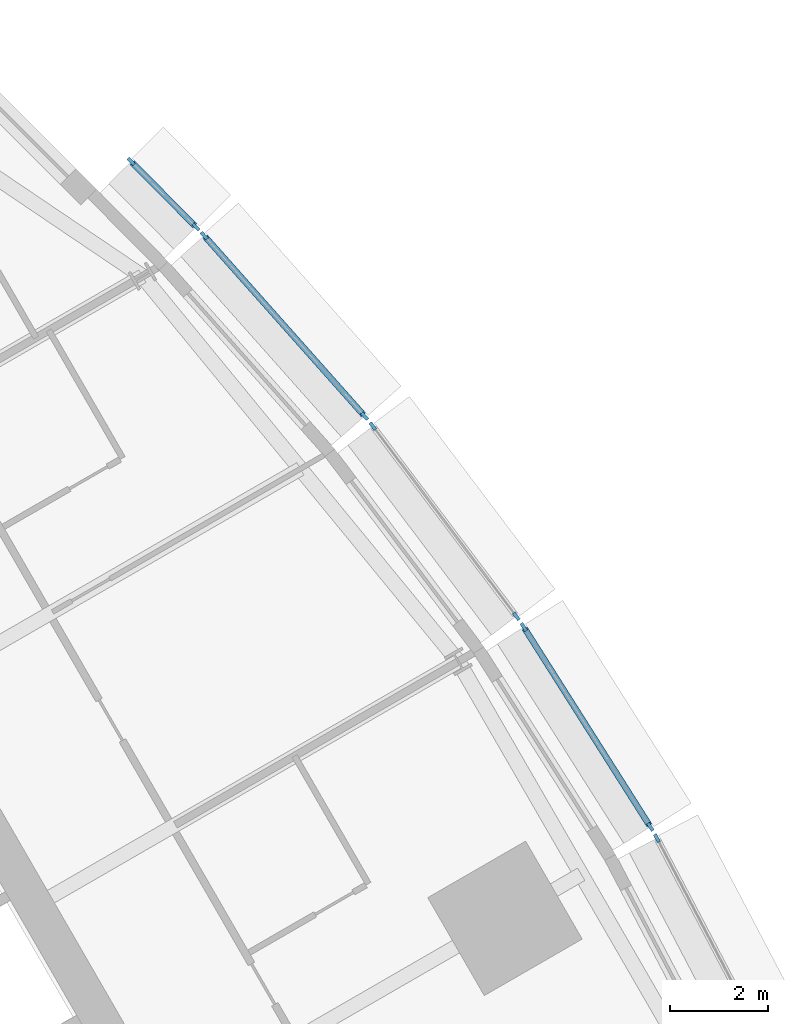
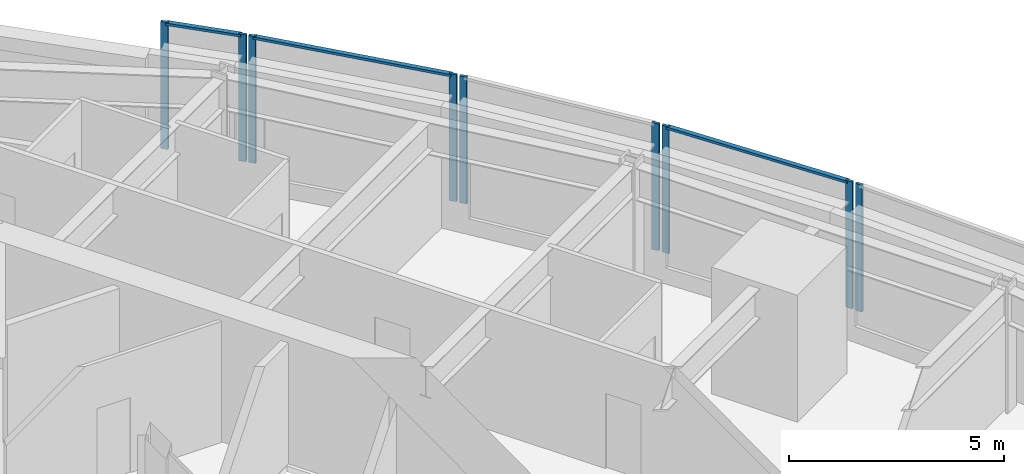
# One storey, part 6 of 15: 12 members, 5 elements without a shape of their own.
"""IFC4 building model written with IfcOpenShell, lengths in metres."""

import ifcopenshell
import ifcopenshell.guid

model = None  # the IFC model being written
_history = None  # IfcOwnerHistory: only IFC2X3 demands one
_inside = {}  # id of a spatial element -> (the spatial element, [elements in it])
_under = {}  # id of a project, library or spatial element -> (it, [spatial elements below it])
_declared = {}  # id of a project -> (the project, [libraries it declares])
_typed = {}  # id of a type object -> (the type object, [elements of that type])
_made_of = {}  # id of a material, layer set ... -> (it, [elements and type objects made of it])


def new_model(schema):
    """Start an empty IFC model of exactly this schema.

    Asked for "IFC4X3", IfcOpenShell would pick the latest addendum, in which some entities
    have other attributes; the version numbers below select the first issue.
    IFC2X3 requires an IfcOwnerHistory on every rooted entity: one is made here for all.
    """
    global model, _history
    if schema == "IFC4X3":
        model = ifcopenshell.file(schema_version=(4, 3, 0, 0))
    else:
        model = ifcopenshell.file(schema=schema)
    _inside.clear()
    _under.clear()
    _declared.clear()
    _typed.clear()
    _made_of.clear()
    _history = None
    if model.schema == "IFC2X3":
        org = make("IfcOrganization", Name="unknown")
        user = make(
            "IfcPersonAndOrganization",
            ThePerson=make("IfcPerson", FamilyName="unknown"),
            TheOrganization=org,
        )
        app = make(
            "IfcApplication",
            ApplicationDeveloper=org,
            Version="unknown",
            ApplicationFullName="unknown",
            ApplicationIdentifier="unknown",
        )
        _history = make(
            "IfcOwnerHistory",
            OwningUser=user,
            OwningApplication=app,
            ChangeAction="ADDED",
            CreationDate=0,
        )
    return model


def make(cls, **values):
    """One entity of the class cls with the attributes given. An attribute that is None is left unset."""
    return model.create_entity(
        cls, **{name: value for name, value in values.items() if value is not None}
    )


def rooted(cls, **values):
    """An entity with a GlobalId (a new one), such as an element, a storey or a relation."""
    return make(cls, GlobalId=ifcopenshell.guid.new(), OwnerHistory=_history, **values)


def si_unit(unit_type, name, prefix=None):
    """IfcSIUnit, for example si_unit("LENGTHUNIT", "METRE", prefix="MILLI")."""
    return make("IfcSIUnit", UnitType=unit_type, Prefix=prefix, Name=name)


def assignment(units):
    """IfcUnitAssignment: the units of a project."""
    return None if units is None else make("IfcUnitAssignment", Units=units)


def point(xyz):
    """IfcCartesianPoint."""
    return None if xyz is None else make("IfcCartesianPoint", Coordinates=xyz)


def direction(xyz):
    """IfcDirection."""
    return None if xyz is None else make("IfcDirection", DirectionRatios=xyz)


def frame(location, z_axis=None, x_axis=None):
    """IfcAxis2Placement3D, a coordinate frame: its origin and axes. An axis left out is left unset."""
    return make(
        "IfcAxis2Placement3D",
        Location=point(location),
        Axis=direction(z_axis),
        RefDirection=direction(x_axis),
    )


def frame_2d(location, x_axis=None):
    """IfcAxis2Placement2D, a coordinate frame in the plane: its origin and x axis."""
    return make(
        "IfcAxis2Placement2D", Location=point(location), RefDirection=direction(x_axis)
    )


def origin():
    """The frame at (0, 0, 0) with its axes left unset."""
    return frame((0.0, 0.0, 0.0))


def origin_2d():
    """The frame at (0, 0) in the plane with its x axis left unset."""
    return frame_2d((0.0, 0.0))


def place(relative_to, where):
    """IfcLocalPlacement: puts the frame where relative to a parent placement (None: the world)."""
    return make(
        "IfcLocalPlacement", PlacementRelTo=relative_to, RelativePlacement=where
    )


def context(
    kind, dimensions, precision=None, world=None, true_north=None, identifier=None
):
    """IfcGeometricRepresentationContext, for example the 3D "Model" context."""
    return make(
        "IfcGeometricRepresentationContext",
        ContextIdentifier=identifier,
        ContextType=kind,
        CoordinateSpaceDimension=dimensions,
        Precision=precision,
        WorldCoordinateSystem=world,
        TrueNorth=true_north,
    )


def subcontext(parent, identifier, kind, view, scale=None):
    """IfcGeometricRepresentationSubContext, for example "Body" below "Model"."""
    return make(
        "IfcGeometricRepresentationSubContext",
        ContextIdentifier=identifier,
        ContextType=kind,
        ParentContext=parent,
        TargetScale=scale,
        TargetView=view,
    )


def project(units=None, contexts=None):
    """IfcProject with its units and contexts."""
    return rooted(
        "IfcProject",
        Name="project",
        RepresentationContexts=contexts,
        UnitsInContext=assignment(units),
    )


def spatial(cls, under=None, at=None, **own):
    """A site, building, storey or space (cls), placed at a placement, below another one or the project."""
    s = rooted(cls, ObjectPlacement=at, **own)
    if under is not None:
        _under.setdefault(under.id(), (under, []))[1].append(s)
    return s


def profile(cls, at=None, kind="AREA", **sizes):
    """A parametric profile (cls). Its sizes go by their IFC names, for example OverallWidth=200.0."""
    return make(cls, ProfileType=kind, Position=at, **sizes)


def rectangle(**sizes):
    """IfcRectangleProfileDef."""
    return profile("IfcRectangleProfileDef", **sizes)


def extrude(swept, where, along, depth):
    """IfcExtrudedAreaSolid: the profile swept, set in the frame where, extruded along a direction by depth."""
    return make(
        "IfcExtrudedAreaSolid",
        SweptArea=swept,
        Position=where,
        ExtrudedDirection=direction(along),
        Depth=depth,
    )


def shape(context_of_items, identifier, shape_type, items):
    """IfcShapeRepresentation: the items that make up one representation, for example the "Body"."""
    return make(
        "IfcShapeRepresentation",
        ContextOfItems=context_of_items,
        RepresentationIdentifier=identifier,
        RepresentationType=shape_type,
        Items=items,
    )


def material(Name=None, Category=None):
    """IfcMaterial."""
    return make("IfcMaterial", Name=Name, Category=Category)


def material_profile(
    of_material, cross_section, Name=None, Category=None, Priority=None
):
    """IfcMaterialProfile: a cross section and its material."""
    return make(
        "IfcMaterialProfile",
        Name=Name,
        Material=of_material,
        Profile=cross_section,
        Priority=Priority,
        Category=Category,
    )


def profile_set(profiles, Name=None, composite=None):
    """IfcMaterialProfileSet."""
    return make(
        "IfcMaterialProfileSet",
        Name=Name,
        MaterialProfiles=profiles,
        CompositeProfile=composite,
    )


def made_of(thing, what):
    """Note that an element or type object is made of a material, layer set ...; save() writes the relation."""
    if what is not None:
        _made_of.setdefault(what.id(), (what, []))[1].append(thing)
    return thing


def type_object(cls, material=None, **own):
    """A type object (cls), such as IfcWallType, which elements share."""
    return made_of(rooted(cls, **own), material)


def element(
    cls,
    number,
    at=None,
    inside=None,
    cuts=None,
    type_object=None,
    material=None,
    context=None,
    identifier="Body",
    shape_type=None,
    held_by="IfcProductDefinitionShape",
    body=None,
    shapes=None,
    **own,
):
    """One element of the class cls, such as IfcWall. Its Tag is "e" and its number.

    at: its placement. inside: the storey or other place that contains it. cuts: it is an
    opening in that element (IfcRelVoidsElement). A single representation is given by context,
    identifier, shape_type and body (its items); several are given by shapes. held_by: the class
    of the entity that holds the representations. save() writes the other relations.
    """
    e = rooted(cls, Tag="e%d" % number, ObjectPlacement=at, **own)
    if body is not None:
        shapes = [shape(context, identifier, shape_type, body)]
    if shapes is not None:
        e.Representation = make(held_by, Representations=shapes)
    if inside is not None:
        _inside.setdefault(inside.id(), (inside, []))[1].append(e)
    if cuts is not None:
        rooted(
            "IfcRelVoidsElement", RelatingBuildingElement=cuts, RelatedOpeningElement=e
        )
    if type_object is not None:
        _typed.setdefault(type_object.id(), (type_object, []))[1].append(e)
    return made_of(e, material)


def aggregate(whole, parts):
    """IfcRelAggregates: a whole, such as a stair, and the parts it consists of."""
    return rooted("IfcRelAggregates", RelatingObject=whole, RelatedObjects=parts)


def save(model, path):
    """Write the relations noted so far, then the file.

    IfcRelAggregates (storeys below a building ...), IfcRelContainedInSpatialStructure (elements
    in a storey), IfcRelDefinesByType, IfcRelAssociatesMaterial and IfcRelDeclares: one each for
    every whole, place, type object, material and project.
    """
    for whole, parts in _under.values():
        aggregate(whole, parts)
    for where, things in _inside.values():
        rooted(
            "IfcRelContainedInSpatialStructure",
            RelatedElements=things,
            RelatingStructure=where,
        )
    for kind, things in _typed.values():
        rooted("IfcRelDefinesByType", RelatedObjects=things, RelatingType=kind)
    for what, things in _made_of.values():
        rooted("IfcRelAssociatesMaterial", RelatedObjects=things, RelatingMaterial=what)
    for by, libraries in _declared.values():
        rooted("IfcRelDeclares", RelatingContext=by, RelatedDefinitions=libraries)
    model.write(path)


model = new_model("IFC4")

# Units and contexts
model_context = context("Model", 3, precision=1e-05, world=origin(), true_north=direction((0.0, 1.0)))
body_context = subcontext(model_context, "Body", "Model", "MODEL_VIEW")
ifc_project = project(units=[si_unit("LENGTHUNIT", "METRE"), si_unit("AREAUNIT", "SQUARE_METRE"), si_unit("VOLUMEUNIT", "CUBIC_METRE"), si_unit("PLANEANGLEUNIT", "RADIAN"), si_unit("MASSUNIT", "GRAM", prefix="KILO")], contexts=[model_context])

# Site, building, storey
site_placement = place(None, origin())
site = spatial("IfcSite", under=ifc_project, at=site_placement, CompositionType="ELEMENT")
building_placement = place(site_placement, origin())
building = spatial("IfcBuilding", under=site, at=building_placement, Name="Trikona Tower", CompositionType="ELEMENT")
storey_placement = place(building_placement, frame((0.0, 0.0, 215.300048828125)))
storey = spatial("IfcBuildingStorey", under=building, at=storey_placement, Name="L57", CompositionType="ELEMENT", Elevation=215.300048828125)

# Curtain wall, member
ifc_material_1 = material(Name="Aluminium curtain wall system", Category="aluminium")
curtain_wall_type = type_object("IfcCurtainWallType", Name="Curtain wall DS3", PredefinedType="NOTDEFINED", material=ifc_material_1)
curtain_wall_1_placement = place(storey_placement, origin())
curtain_wall_1 = element("IfcCurtainWall", 1, at=curtain_wall_1_placement, inside=storey, type_object=curtain_wall_type, Name="Curtain wall DS3 L57", PredefinedType="NOTDEFINED")
ifc_material_2 = material(Name="Aluminium mullion, pale anodised", Category="aluminium")
ifc_material_profile_1 = material_profile(ifc_material_2, rectangle(XDim=0.070068359375, YDim=0.179931640625, at=origin_2d()), Name="MUL-DS3")
ifc_profile_set_1 = profile_set([ifc_material_profile_1], Name="Aluminium mullion, pale anodised")
member_type_1 = type_object("IfcMemberType", Name="Mullion DS3 70x180", PredefinedType="MULLION", material=ifc_profile_set_1)
member_1_placement = place(storey_placement, frame((18.40234375, 10.472412109375, 0.0), z_axis=(0.0, 0.0, 1.0), x_axis=(-0.885862390527, -0.463948084434, 0.0)))
member_1 = element("IfcMember", 2, at=member_1_placement, type_object=member_type_1, Name="CW-DS3 mullion 2", PredefinedType="MULLION", context=body_context, shape_type="SweptSolid", body=[
    extrude(rectangle(XDim=0.070068359375, YDim=0.179931640625, at=origin_2d()), origin(), (0.0, 0.0, 1.0), 3.599853515625),
])
aggregate(curtain_wall_1, [member_1])

# Curtain wall, members
curtain_wall_2_placement = place(storey_placement, origin())
curtain_wall_2 = element("IfcCurtainWall", 3, at=curtain_wall_2_placement, inside=storey, type_object=curtain_wall_type, Name="Curtain wall DS3 L57", PredefinedType="NOTDEFINED")
member_2_placement = place(storey_placement, frame((18.2705078125, 10.700927734375, 0.0), z_axis=(0.0, 0.0, 1.0), x_axis=(-0.844727131858, -0.535197227854, 0.0)))
member_2 = element("IfcMember", 4, at=member_2_placement, type_object=member_type_1, Name="CW-DS3 mullion 1", PredefinedType="MULLION", context=body_context, shape_type="SweptSolid", body=[
    extrude(rectangle(XDim=0.070068359375, YDim=0.179931640625, at=origin_2d()), origin(), (0.0, 0.0, 1.0), 3.599853515625),
])
member_3_placement = place(storey_placement, frame((15.69384765625, 14.767578125, 0.0), z_axis=(0.0, 0.0, 1.0), x_axis=(-0.844727131858, -0.535197227854, 0.0)))
member_3 = element("IfcMember", 5, at=member_3_placement, type_object=member_type_1, Name="CW-DS3 mullion 2", PredefinedType="MULLION", context=body_context, shape_type="SweptSolid", body=[
    extrude(rectangle(XDim=0.070068359375, YDim=0.179931640625, at=origin_2d()), origin(), (0.0, 0.0, 1.0), 3.599853515625),
])

curtain_wall_3_placement = place(storey_placement, origin())
curtain_wall_3 = element("IfcCurtainWall", 6, at=curtain_wall_3_placement, inside=storey, type_object=curtain_wall_type, Name="Curtain wall DS3 L57", PredefinedType="NOTDEFINED")
member_4_placement = place(storey_placement, frame((15.5439453125, 14.984130859375, 0.0), z_axis=(0.0, 0.0, 1.0), x_axis=(-0.798193208724, -0.602401528506, 0.0)))
member_4 = element("IfcMember", 7, at=member_4_placement, type_object=member_type_1, Name="CW-DS3 mullion 1", PredefinedType="MULLION", context=body_context, shape_type="SweptSolid", body=[
    extrude(rectangle(XDim=0.070068359375, YDim=0.179931640625, at=origin_2d()), origin(), (0.0, 0.0, 1.0), 3.599853515625),
])
member_5_placement = place(storey_placement, frame((12.62353515625, 18.853759765625, 0.0), z_axis=(0.0, 0.0, 1.0), x_axis=(-0.798193208724, -0.602401528506, 0.0)))
member_5 = element("IfcMember", 8, at=member_5_placement, type_object=member_type_1, Name="CW-DS3 mullion 2", PredefinedType="MULLION", context=body_context, shape_type="SweptSolid", body=[
    extrude(rectangle(XDim=0.070068359375, YDim=0.179931640625, at=origin_2d()), origin(), (0.0, 0.0, 1.0), 3.599853515625),
])
aggregate(curtain_wall_3, [member_4, member_5])

curtain_wall_4_placement = place(storey_placement, origin())
curtain_wall_4 = element("IfcCurtainWall", 9, at=curtain_wall_4_placement, inside=storey, type_object=curtain_wall_type, Name="Curtain wall DS3 L57", PredefinedType="NOTDEFINED")
member_6_placement = place(storey_placement, frame((12.45751953125, 19.056396484375, 0.0), z_axis=(0.0, 0.0, 1.0), x_axis=(-0.747402677853, -0.664371309689, 0.0)))
member_6 = element("IfcMember", 10, at=member_6_placement, type_object=member_type_1, Name="CW-DS3 mullion 1", PredefinedType="MULLION", context=body_context, shape_type="SweptSolid", body=[
    extrude(rectangle(XDim=0.070068359375, YDim=0.179931640625, at=origin_2d()), origin(), (0.0, 0.0, 1.0), 3.599853515625),
])
member_7_placement = place(storey_placement, frame((9.192138671875, 22.729736328125, 0.0), z_axis=(0.0, 0.0, 1.0), x_axis=(-0.747402677853, -0.664371309689, 0.0)))
member_7 = element("IfcMember", 11, at=member_7_placement, type_object=member_type_1, Name="CW-DS3 mullion 2", PredefinedType="MULLION", context=body_context, shape_type="SweptSolid", body=[
    extrude(rectangle(XDim=0.070068359375, YDim=0.179931640625, at=origin_2d()), origin(), (0.0, 0.0, 1.0), 3.599853515625),
])

curtain_wall_5_placement = place(storey_placement, origin())
curtain_wall_5 = element("IfcCurtainWall", 12, at=curtain_wall_5_placement, inside=storey, type_object=curtain_wall_type, Name="Curtain wall DS3 L57", PredefinedType="NOTDEFINED")
member_8_placement = place(storey_placement, frame((9.028564453125, 22.904052734375, 0.0), z_axis=(0.0, 0.0, 1.0), x_axis=(-0.710051900554, -0.704149343903, 0.0)))
member_8 = element("IfcMember", 13, at=member_8_placement, type_object=member_type_1, Name="CW-DS3 mullion 1", PredefinedType="MULLION", context=body_context, shape_type="SweptSolid", body=[
    extrude(rectangle(XDim=0.070068359375, YDim=0.179931640625, at=origin_2d()), origin(), (0.0, 0.0, 1.0), 3.599853515625),
])
member_9_placement = place(storey_placement, frame((7.7060546875, 24.237548828125, 0.0), z_axis=(0.0, 0.0, 1.0), x_axis=(-0.710051900554, -0.704149343903, 0.0)))
member_9 = element("IfcMember", 14, at=member_9_placement, type_object=member_type_1, Name="CW-DS3 mullion 2", PredefinedType="MULLION", context=body_context, shape_type="SweptSolid", body=[
    extrude(rectangle(XDim=0.070068359375, YDim=0.179931640625, at=origin_2d()), origin(), (0.0, 0.0, 1.0), 3.599853515625),
])

# Member
ifc_material_3 = material(Name="Aluminium transom, pale anodised", Category="aluminium")
ifc_material_profile_2 = material_profile(ifc_material_3, rectangle(XDim=0.1201171875, YDim=0.070068359375, at=origin_2d()), Name="TRN-DS3")
ifc_profile_set_2 = profile_set([ifc_material_profile_2], Name="Aluminium transom, pale anodised")
member_type_2 = type_object("IfcMemberType", Name="Transom DS3 70x120", PredefinedType="USERDEFINED", material=ifc_profile_set_2)
member_10_placement = place(storey_placement, frame((18.251708984375, 10.73046875, 3.56494140625), z_axis=(-0.535192866729, 0.844729894938, 0.0), x_axis=(-0.844729894938, -0.535192866729, 0.0)))
member_10 = element("IfcMember", 15, at=member_10_placement, type_object=member_type_2, Name="CW-DS3 transom 1.1", ObjectType="TRANSOM", PredefinedType="USERDEFINED", context=body_context, shape_type="SweptSolid", body=[
    extrude(rectangle(XDim=0.1201171875, YDim=0.070068359375, at=origin_2d()), origin(), (0.0, 0.0, 1.0), 4.744140625),
])

aggregate(curtain_wall_2, [member_2, member_3, member_10])

member_11_placement = place(storey_placement, frame((12.43408203125, 19.08251953125, 3.56494140625), z_axis=(-0.66436383883, 0.747409318684, 0.0), x_axis=(-0.747409318684, -0.66436383883, 0.0)))
member_11 = element("IfcMember", 16, at=member_11_placement, type_object=member_type_2, Name="CW-DS3 transom 1.1", ObjectType="TRANSOM", PredefinedType="USERDEFINED", context=body_context, shape_type="SweptSolid", body=[
    extrude(rectangle(XDim=0.1201171875, YDim=0.070068359375, at=origin_2d()), origin(), (0.0, 0.0, 1.0), 4.844970703125),
])

aggregate(curtain_wall_4, [member_6, member_7, member_11])

member_12_placement = place(storey_placement, frame((9.00390625, 22.9287109375, 3.56494140625), z_axis=(-0.704130668076, 0.710070420645, 0.0), x_axis=(-0.710070420645, -0.704130668076, 0.0)))
member_12 = element("IfcMember", 17, at=member_12_placement, type_object=member_type_2, Name="CW-DS3 transom 1.1", ObjectType="TRANSOM", PredefinedType="USERDEFINED", context=body_context, shape_type="SweptSolid", body=[
    extrude(rectangle(XDim=0.1201171875, YDim=0.070068359375, at=origin_2d()), origin(), (0.0, 0.0, 1.0), 1.80859375),
])

aggregate(curtain_wall_5, [member_8, member_9, member_12])

save(model, "model.ifc")
